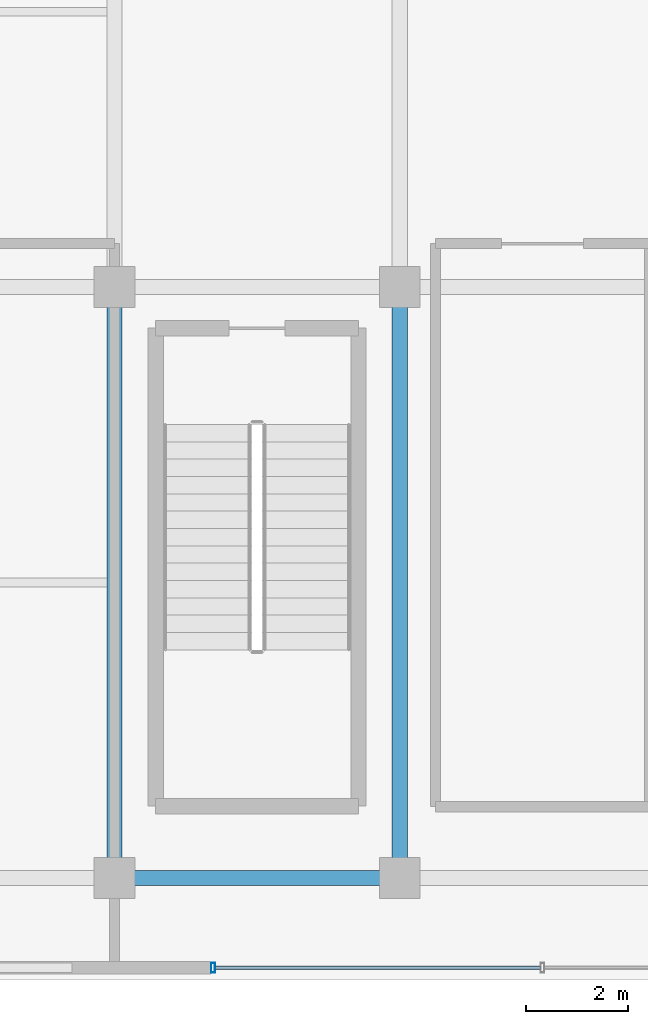
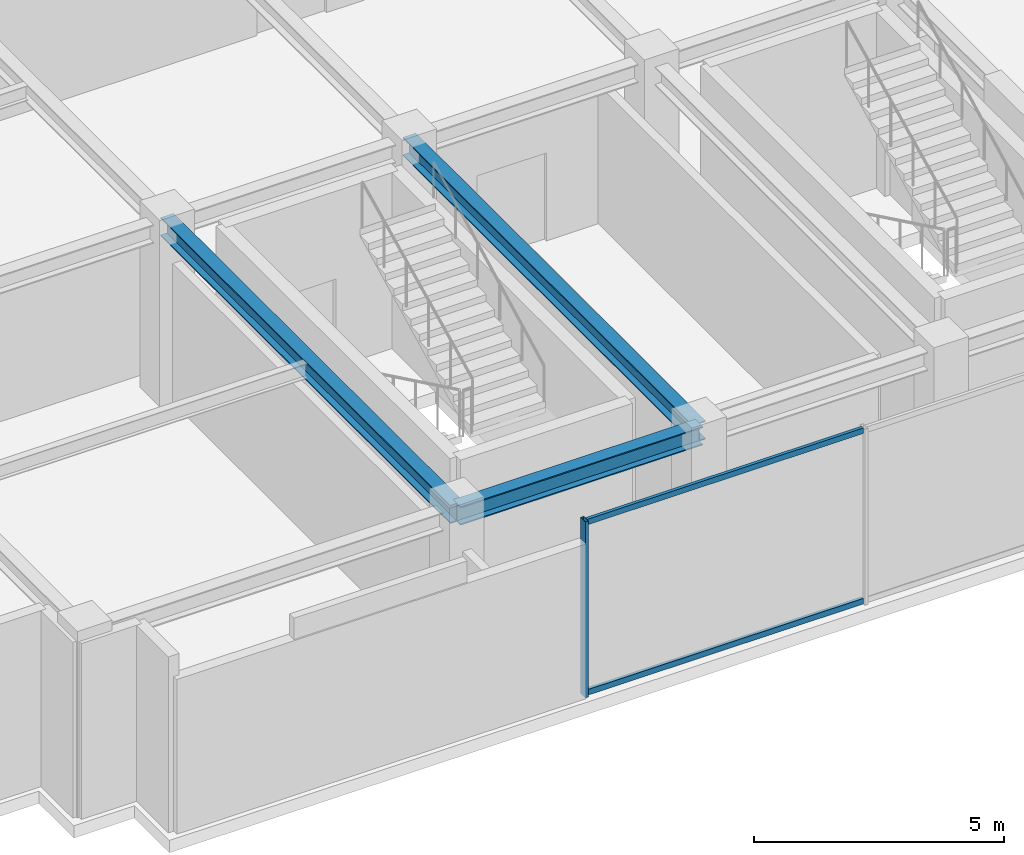
# One storey, part 2 of 18: 3 beams, 3 members, 1 element without a shape of its own.
"""IFC4 building model written with IfcOpenShell, lengths in metres."""

import ifcopenshell
import ifcopenshell.guid

model = None  # the IFC model being written
_history = None  # IfcOwnerHistory: only IFC2X3 demands one
_inside = {}  # id of a spatial element -> (the spatial element, [elements in it])
_under = {}  # id of a project, library or spatial element -> (it, [spatial elements below it])
_declared = {}  # id of a project -> (the project, [libraries it declares])
_typed = {}  # id of a type object -> (the type object, [elements of that type])
_made_of = {}  # id of a material, layer set ... -> (it, [elements and type objects made of it])


def new_model(schema):
    """Start an empty IFC model of exactly this schema.

    Asked for "IFC4X3", IfcOpenShell would pick the latest addendum, in which some entities
    have other attributes; the version numbers below select the first issue.
    IFC2X3 requires an IfcOwnerHistory on every rooted entity: one is made here for all.
    """
    global model, _history
    if schema == "IFC4X3":
        model = ifcopenshell.file(schema_version=(4, 3, 0, 0))
    else:
        model = ifcopenshell.file(schema=schema)
    _inside.clear()
    _under.clear()
    _declared.clear()
    _typed.clear()
    _made_of.clear()
    _history = None
    if model.schema == "IFC2X3":
        org = make("IfcOrganization", Name="unknown")
        user = make(
            "IfcPersonAndOrganization",
            ThePerson=make("IfcPerson", FamilyName="unknown"),
            TheOrganization=org,
        )
        app = make(
            "IfcApplication",
            ApplicationDeveloper=org,
            Version="unknown",
            ApplicationFullName="unknown",
            ApplicationIdentifier="unknown",
        )
        _history = make(
            "IfcOwnerHistory",
            OwningUser=user,
            OwningApplication=app,
            ChangeAction="ADDED",
            CreationDate=0,
        )
    return model


def make(cls, **values):
    """One entity of the class cls with the attributes given. An attribute that is None is left unset."""
    return model.create_entity(
        cls, **{name: value for name, value in values.items() if value is not None}
    )


def rooted(cls, **values):
    """An entity with a GlobalId (a new one), such as an element, a storey or a relation."""
    return make(cls, GlobalId=ifcopenshell.guid.new(), OwnerHistory=_history, **values)


def si_unit(unit_type, name, prefix=None):
    """IfcSIUnit, for example si_unit("LENGTHUNIT", "METRE", prefix="MILLI")."""
    return make("IfcSIUnit", UnitType=unit_type, Prefix=prefix, Name=name)


def assignment(units):
    """IfcUnitAssignment: the units of a project."""
    return None if units is None else make("IfcUnitAssignment", Units=units)


def point(xyz):
    """IfcCartesianPoint."""
    return None if xyz is None else make("IfcCartesianPoint", Coordinates=xyz)


def direction(xyz):
    """IfcDirection."""
    return None if xyz is None else make("IfcDirection", DirectionRatios=xyz)


def frame(location, z_axis=None, x_axis=None):
    """IfcAxis2Placement3D, a coordinate frame: its origin and axes. An axis left out is left unset."""
    return make(
        "IfcAxis2Placement3D",
        Location=point(location),
        Axis=direction(z_axis),
        RefDirection=direction(x_axis),
    )


def frame_2d(location, x_axis=None):
    """IfcAxis2Placement2D, a coordinate frame in the plane: its origin and x axis."""
    return make(
        "IfcAxis2Placement2D", Location=point(location), RefDirection=direction(x_axis)
    )


def origin():
    """The frame at (0, 0, 0) with its axes left unset."""
    return frame((0.0, 0.0, 0.0))


def origin_2d():
    """The frame at (0, 0) in the plane with its x axis left unset."""
    return frame_2d((0.0, 0.0))


def place(relative_to, where):
    """IfcLocalPlacement: puts the frame where relative to a parent placement (None: the world)."""
    return make(
        "IfcLocalPlacement", PlacementRelTo=relative_to, RelativePlacement=where
    )


def context(
    kind, dimensions, precision=None, world=None, true_north=None, identifier=None
):
    """IfcGeometricRepresentationContext, for example the 3D "Model" context."""
    return make(
        "IfcGeometricRepresentationContext",
        ContextIdentifier=identifier,
        ContextType=kind,
        CoordinateSpaceDimension=dimensions,
        Precision=precision,
        WorldCoordinateSystem=world,
        TrueNorth=true_north,
    )


def subcontext(parent, identifier, kind, view, scale=None):
    """IfcGeometricRepresentationSubContext, for example "Body" below "Model"."""
    return make(
        "IfcGeometricRepresentationSubContext",
        ContextIdentifier=identifier,
        ContextType=kind,
        ParentContext=parent,
        TargetScale=scale,
        TargetView=view,
    )


def project(units=None, contexts=None):
    """IfcProject with its units and contexts."""
    return rooted(
        "IfcProject",
        Name="project",
        RepresentationContexts=contexts,
        UnitsInContext=assignment(units),
    )


def spatial(cls, under=None, at=None, **own):
    """A site, building, storey or space (cls), placed at a placement, below another one or the project."""
    s = rooted(cls, ObjectPlacement=at, **own)
    if under is not None:
        _under.setdefault(under.id(), (under, []))[1].append(s)
    return s


def profile(cls, at=None, kind="AREA", **sizes):
    """A parametric profile (cls). Its sizes go by their IFC names, for example OverallWidth=200.0."""
    return make(cls, ProfileType=kind, Position=at, **sizes)


def hollow_rectangle(**sizes):
    """IfcRectangleHollowProfileDef."""
    return profile("IfcRectangleHollowProfileDef", **sizes)


def i_section(**sizes):
    """IfcIShapeProfileDef."""
    return profile("IfcIShapeProfileDef", **sizes)


def extrude(swept, where, along, depth):
    """IfcExtrudedAreaSolid: the profile swept, set in the frame where, extruded along a direction by depth."""
    return make(
        "IfcExtrudedAreaSolid",
        SweptArea=swept,
        Position=where,
        ExtrudedDirection=direction(along),
        Depth=depth,
    )


def shape(context_of_items, identifier, shape_type, items):
    """IfcShapeRepresentation: the items that make up one representation, for example the "Body"."""
    return make(
        "IfcShapeRepresentation",
        ContextOfItems=context_of_items,
        RepresentationIdentifier=identifier,
        RepresentationType=shape_type,
        Items=items,
    )


def source(mapping_origin, context_of_items, identifier, shape_type, items):
    """IfcRepresentationMap: a shape defined once, which mapped items show again and again."""
    return make(
        "IfcRepresentationMap",
        MappingOrigin=mapping_origin,
        MappedRepresentation=shape(context_of_items, identifier, shape_type, items),
    )


def transform(
    local_origin,
    x_axis=None,
    y_axis=None,
    z_axis=None,
    scale=None,
    scale2=None,
    scale3=None,
    uniform=True,
):
    """IfcCartesianTransformationOperator3D, or its non-uniform kind. x_axis, y_axis, z_axis: its Axis1, 2, 3."""
    if uniform:
        return make(
            "IfcCartesianTransformationOperator3D",
            Axis1=direction(x_axis),
            Axis2=direction(y_axis),
            LocalOrigin=point(local_origin),
            Scale=scale,
            Axis3=direction(z_axis),
        )
    return make(
        "IfcCartesianTransformationOperator3DnonUniform",
        Axis1=direction(x_axis),
        Axis2=direction(y_axis),
        LocalOrigin=point(local_origin),
        Scale=scale,
        Axis3=direction(z_axis),
        Scale2=scale2,
        Scale3=scale3,
    )


def mapped(mapping_source, mapping_target):
    """IfcMappedItem: shows the shape of a source again, moved by a transform."""
    return make(
        "IfcMappedItem", MappingSource=mapping_source, MappingTarget=mapping_target
    )


def material(Name=None, Category=None):
    """IfcMaterial."""
    return make("IfcMaterial", Name=Name, Category=Category)


def material_profile(
    of_material, cross_section, Name=None, Category=None, Priority=None
):
    """IfcMaterialProfile: a cross section and its material."""
    return make(
        "IfcMaterialProfile",
        Name=Name,
        Material=of_material,
        Profile=cross_section,
        Priority=Priority,
        Category=Category,
    )


def profile_set(profiles, Name=None, composite=None):
    """IfcMaterialProfileSet."""
    return make(
        "IfcMaterialProfileSet",
        Name=Name,
        MaterialProfiles=profiles,
        CompositeProfile=composite,
    )


def made_of(thing, what):
    """Note that an element or type object is made of a material, layer set ...; save() writes the relation."""
    if what is not None:
        _made_of.setdefault(what.id(), (what, []))[1].append(thing)
    return thing


def type_object(cls, material=None, **own):
    """A type object (cls), such as IfcWallType, which elements share."""
    return made_of(rooted(cls, **own), material)


def element(
    cls,
    number,
    at=None,
    inside=None,
    cuts=None,
    type_object=None,
    material=None,
    context=None,
    identifier="Body",
    shape_type=None,
    held_by="IfcProductDefinitionShape",
    body=None,
    shapes=None,
    **own,
):
    """One element of the class cls, such as IfcWall. Its Tag is "e" and its number.

    at: its placement. inside: the storey or other place that contains it. cuts: it is an
    opening in that element (IfcRelVoidsElement). A single representation is given by context,
    identifier, shape_type and body (its items); several are given by shapes. held_by: the class
    of the entity that holds the representations. save() writes the other relations.
    """
    e = rooted(cls, Tag="e%d" % number, ObjectPlacement=at, **own)
    if body is not None:
        shapes = [shape(context, identifier, shape_type, body)]
    if shapes is not None:
        e.Representation = make(held_by, Representations=shapes)
    if inside is not None:
        _inside.setdefault(inside.id(), (inside, []))[1].append(e)
    if cuts is not None:
        rooted(
            "IfcRelVoidsElement", RelatingBuildingElement=cuts, RelatedOpeningElement=e
        )
    if type_object is not None:
        _typed.setdefault(type_object.id(), (type_object, []))[1].append(e)
    return made_of(e, material)


def aggregate(whole, parts):
    """IfcRelAggregates: a whole, such as a stair, and the parts it consists of."""
    return rooted("IfcRelAggregates", RelatingObject=whole, RelatedObjects=parts)


def save(model, path):
    """Write the relations noted so far, then the file.

    IfcRelAggregates (storeys below a building ...), IfcRelContainedInSpatialStructure (elements
    in a storey), IfcRelDefinesByType, IfcRelAssociatesMaterial and IfcRelDeclares: one each for
    every whole, place, type object, material and project.
    """
    for whole, parts in _under.values():
        aggregate(whole, parts)
    for where, things in _inside.values():
        rooted(
            "IfcRelContainedInSpatialStructure",
            RelatedElements=things,
            RelatingStructure=where,
        )
    for kind, things in _typed.values():
        rooted("IfcRelDefinesByType", RelatedObjects=things, RelatingType=kind)
    for what, things in _made_of.values():
        rooted("IfcRelAssociatesMaterial", RelatedObjects=things, RelatingMaterial=what)
    for by, libraries in _declared.values():
        rooted("IfcRelDeclares", RelatingContext=by, RelatedDefinitions=libraries)
    model.write(path)


model = new_model("IFC4")

# Units and contexts
model_context = context("Model", 3, precision=1e-05, world=origin(), true_north=direction((0.0, 1.0)))
body_context = subcontext(model_context, "Body", "Model", "MODEL_VIEW")
ifc_project = project(units=[si_unit("LENGTHUNIT", "METRE"), si_unit("AREAUNIT", "SQUARE_METRE"), si_unit("VOLUMEUNIT", "CUBIC_METRE"), si_unit("PLANEANGLEUNIT", "RADIAN"), si_unit("MASSUNIT", "GRAM", prefix="KILO")], contexts=[model_context])

# Site, building, storey
site_placement = place(None, origin())
site = spatial("IfcSite", under=ifc_project, at=site_placement, CompositionType="ELEMENT")
building_placement = place(site_placement, origin())
building = spatial("IfcBuilding", under=site, at=building_placement, Name="Nahalor Promenade Grand Hotel", CompositionType="ELEMENT")
storey_placement = place(building_placement, frame((0.0, 0.0, 366.25)))
storey = spatial("IfcBuildingStorey", under=building, at=storey_placement, Name="L93", CompositionType="ELEMENT", Elevation=366.25)

# Beams
ifc_material_1 = material(Name="Steel S355JR", Category="steel")
ifc_material_profile_1 = material_profile(ifc_material_1, i_section(OverallWidth=0.3, OverallDepth=0.45, WebThickness=0.014, FlangeThickness=0.026, at=origin_2d()), Name="HEB 450")
ifc_profile_set_1 = profile_set([ifc_material_profile_1], Name="Steel S355JR")
beam_type = type_object("IfcBeamType", Name="Beam-Girder-HEB450", PredefinedType="BEAM", material=ifc_profile_set_1)
shared_shape_1 = source(origin(), body_context, "Body", "SweptSolid", [
    extrude(i_section(OverallWidth=0.3, OverallDepth=0.45, WebThickness=0.014, FlangeThickness=0.026, at=origin_2d()), origin(), (0.0, 0.0, 1.0), 5.599853515625),
])
beam_placement = place(storey_placement, frame((-8.39990234375, -17.0, 4.074951171875), z_axis=(1.0, 0.0, 0.0), x_axis=(0.0, 1.0, 0.0)))
element("IfcBeam", 1, at=beam_placement, inside=storey, type_object=beam_type, Name="BM-L93-GX-0-1", PredefinedType="BEAM", context=body_context, shape_type="MappedRepresentation", body=[
    mapped(shared_shape_1, transform((0.0, 0.0, 0.0), scale=1.0)),
])
shared_shape_2 = source(origin(), body_context, "Body", "SweptSolid", [
    extrude(i_section(OverallWidth=0.3, OverallDepth=0.45, WebThickness=0.014, FlangeThickness=0.026, at=origin_2d()), origin(), (0.0, 0.0, 1.0), 11.60009765625),
])
for number, where, z_axis, x_axis, name in (
    (2, (-8.39990234375, -17.0, 4.074951171875), (0.0, 1.0, 0.0), (-1.0, 0.0, 0.0), "BM-L93-GY-1-0"),
    (3, (-2.800048828125, -17.0, 4.074951171875), (0.0, 1.0, 0.0), (-1.0, 0.0, 0.0), "BM-L93-GY-2-0"),
):
    element("IfcBeam", number, at=place(storey_placement, frame(where, z_axis=z_axis, x_axis=x_axis)), inside=storey, type_object=beam_type, Name=name, PredefinedType="BEAM", context=body_context, shape_type="MappedRepresentation", body=[
        mapped(shared_shape_2, transform((0.0, 0.0, 0.0), scale=1.0)),
    ])

# Curtain wall, members
ifc_material_2 = material(Name="Anodised Bronze Aluminium EN AW-6063 T6", Category="aluminium")
curtain_wall_type = type_object("IfcCurtainWallType", Name="CW6 Crown Botanical Conservatory Curtain Wall", PredefinedType="USERDEFINED", material=ifc_material_2)
curtain_wall_placement = place(storey_placement, origin())
curtain_wall = element("IfcCurtainWall", 4, at=curtain_wall_placement, inside=storey, type_object=curtain_wall_type, Name="L93 Curtain Wall CW-L93-S", ObjectType="UNITISED_CURTAIN_WALL", PredefinedType="USERDEFINED")
ifc_material_profile_2 = material_profile(ifc_material_2, hollow_rectangle(XDim=0.075, YDim=0.135, WallThickness=0.004, at=origin_2d()), Name="CWT 75x135x4")
ifc_profile_set_2 = profile_set([ifc_material_profile_2], Name="Anodised Bronze Aluminium EN AW-6063 T6")
member_type_1 = type_object("IfcMemberType", Name="CWT6 Conservatory Transom 75x135", PredefinedType="USERDEFINED", material=ifc_profile_set_2)
shared_shape_3 = source(origin(), body_context, "Body", "SweptSolid", [
    extrude(hollow_rectangle(XDim=0.075, YDim=0.135, WallThickness=0.004, at=origin_2d()), origin(), (0.0, 0.0, 1.0), 6.387451171875),
])
member_1_placement = place(storey_placement, frame((-6.425048828125, -18.760009765625, 0.0673828125), z_axis=(1.0, 0.0, 0.0), x_axis=(0.0, 1.0, 0.0)))
member_1 = element("IfcMember", 5, at=member_1_placement, type_object=member_type_1, Name="CW-L93-S Transom 0-0", ObjectType="TRANSOM", PredefinedType="USERDEFINED", context=body_context, shape_type="MappedRepresentation", body=[
    mapped(shared_shape_3, transform((0.0, 0.0, 0.0), scale=1.0)),
])
member_2_placement = place(storey_placement, frame((-6.425048828125, -18.760009765625, 4.232421875), z_axis=(1.0, 0.0, 0.0), x_axis=(0.0, 1.0, 0.0)))
member_2 = element("IfcMember", 6, at=member_2_placement, type_object=member_type_1, Name="CW-L93-S Transom 0-1", ObjectType="TRANSOM", PredefinedType="USERDEFINED", context=body_context, shape_type="MappedRepresentation", body=[
    mapped(shared_shape_3, transform((0.0, 0.0, 0.0), scale=1.0)),
])
ifc_material_profile_3 = material_profile(ifc_material_2, hollow_rectangle(XDim=0.075, YDim=0.19, WallThickness=0.005, at=origin_2d()), Name="CWM 75x190x5")
ifc_profile_set_3 = profile_set([ifc_material_profile_3], Name="Anodised Bronze Aluminium EN AW-6063 T6")
member_type_2 = type_object("IfcMemberType", Name="CWM6 Conservatory Bronze Mullion 75x190", PredefinedType="MULLION", material=ifc_profile_set_3)
shared_shape_4 = source(origin(), body_context, "Body", "SweptSolid", [
    extrude(hollow_rectangle(XDim=0.075, YDim=0.19, WallThickness=0.005, at=origin_2d()), origin(), (0.0, 0.0, 1.0), 4.300048828125),
])
member_3_placement = place(storey_placement, frame((-6.46240234375, -18.760009765625, 0.0), z_axis=(0.0, 0.0, 1.0), x_axis=(1.0, 0.0, 0.0)))
member_3 = element("IfcMember", 7, at=member_3_placement, type_object=member_type_2, Name="CW-L93-S Mullion 0", PredefinedType="MULLION", context=body_context, shape_type="MappedRepresentation", body=[
    mapped(shared_shape_4, transform((0.0, 0.0, 0.0), scale=1.0)),
])
aggregate(curtain_wall, [member_3, member_1, member_2])

save(model, "model.ifc")
